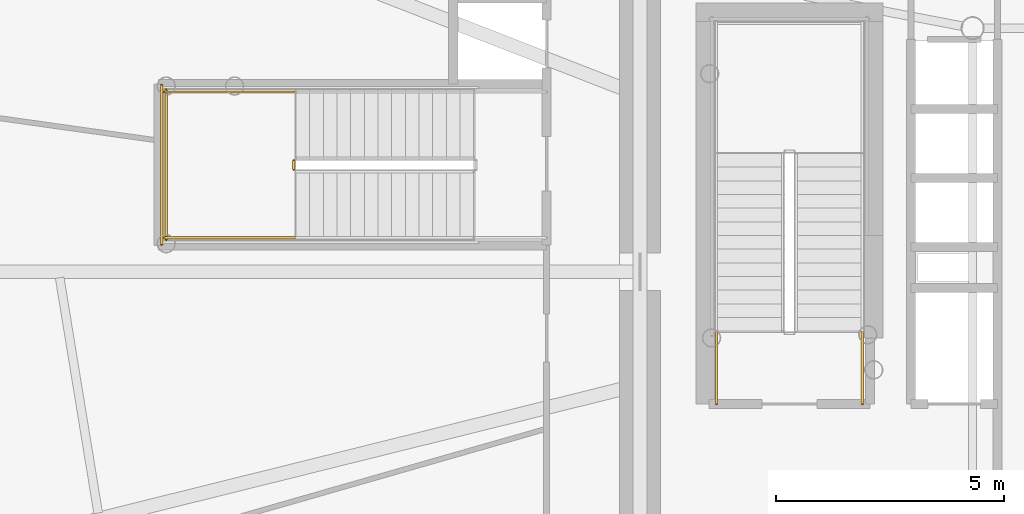
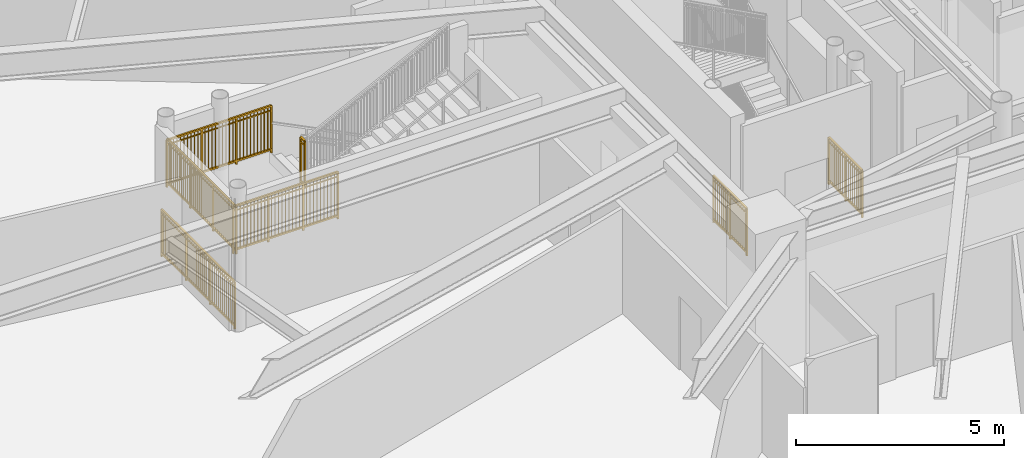
# One storey, part 18 of 27: 7 railings.
"""IFC4 building model written with IfcOpenShell, lengths in metres."""

from ifc_helpers import new_model, si_unit, direction, frame, origin, origin_2d, place, context, subcontext, project, spatial, rectangle, extrude, source, transform, mapped, material, type_object, element, save


model = new_model("IFC4")

# Units and contexts
model_context = context("Model", 3, precision=1e-05, world=origin(), true_north=direction((0.0, 1.0)))
body_context = subcontext(model_context, "Body", "Model", "MODEL_VIEW")
ifc_project = project(units=[si_unit("LENGTHUNIT", "METRE"), si_unit("AREAUNIT", "SQUARE_METRE"), si_unit("VOLUMEUNIT", "CUBIC_METRE"), si_unit("PLANEANGLEUNIT", "RADIAN"), si_unit("MASSUNIT", "GRAM", prefix="KILO")], contexts=[model_context])

# Site, building, storey
site_placement = place(None, origin())
site = spatial("IfcSite", under=ifc_project, at=site_placement, CompositionType="ELEMENT")
building_placement = place(site_placement, origin())
building = spatial("IfcBuilding", under=site, at=building_placement, Name="Linh Dai School and Residence Tower", CompositionType="ELEMENT")
storey_placement = place(building_placement, frame((0.0, 0.0, 14.39990234375)))
storey = spatial("IfcBuildingStorey", under=building, at=storey_placement, Name="L03", CompositionType="ELEMENT", Elevation=14.39990234375)

# Railings
ifc_material = material(Name="Structural Steel S355JR", Category="steel")
railing_type = type_object("IfcRailingType", Name="RL-ST-GUARD-1400", PredefinedType="GUARDRAIL", material=ifc_material)
shared_shape_1 = source(origin(), body_context, "Body", "SweptSolid", [
    extrude(rectangle(XDim=0.048095703125, YDim=0.048095703125, at=origin_2d()), frame((0.0, 0.0, 1.3759765625), z_axis=(0.0, 1.0, 0.0), x_axis=(-1.0, 0.0, 0.0)), (0.0, 0.0, 1.0), 1.599853515625),
    extrude(rectangle(XDim=0.048095703125, YDim=0.048095703125, at=origin_2d()), frame((0.0, 0.0, 0.10009765625), z_axis=(0.0, 1.0, 0.0), x_axis=(-1.0, 0.0, 0.0)), (0.0, 0.0, 1.0), 1.599853515625),
    extrude(rectangle(XDim=0.030029296875, YDim=0.030029296875, at=origin_2d()), frame((0.0, 0.0, 1.239990234375), z_axis=(0.0, 1.0, 0.0), x_axis=(-1.0, 0.0, 0.0)), (0.0, 0.0, 1.0), 1.599853515625),
    extrude(rectangle(XDim=0.02001953125, YDim=0.02001953125, at=origin_2d()), frame((0.0, 0.093994140625, 0.10009765625)), (0.0, 0.0, 1.0), 1.251708984375),
    extrude(rectangle(XDim=0.02001953125, YDim=0.02001953125, at=origin_2d()), frame((0.0, 0.188232421875, 0.10009765625)), (0.0, 0.0, 1.0), 1.251708984375),
    extrude(rectangle(XDim=0.02001953125, YDim=0.02001953125, at=origin_2d()), frame((0.0, 0.2822265625, 0.10009765625)), (0.0, 0.0, 1.0), 1.251708984375),
    extrude(rectangle(XDim=0.02001953125, YDim=0.02001953125, at=origin_2d()), frame((0.0, 0.37646484375, 0.10009765625)), (0.0, 0.0, 1.0), 1.251708984375),
    extrude(rectangle(XDim=0.02001953125, YDim=0.02001953125, at=origin_2d()), frame((0.0, 0.470458984375, 0.10009765625)), (0.0, 0.0, 1.0), 1.251708984375),
    extrude(rectangle(XDim=0.02001953125, YDim=0.02001953125, at=origin_2d()), frame((0.0, 0.564697265625, 0.10009765625)), (0.0, 0.0, 1.0), 1.251708984375),
    extrude(rectangle(XDim=0.02001953125, YDim=0.02001953125, at=origin_2d()), frame((0.0, 0.65869140625, 0.10009765625)), (0.0, 0.0, 1.0), 1.251708984375),
    extrude(rectangle(XDim=0.02001953125, YDim=0.02001953125, at=origin_2d()), frame((0.0, 0.7529296875, 0.10009765625)), (0.0, 0.0, 1.0), 1.251708984375),
    extrude(rectangle(XDim=0.02001953125, YDim=0.02001953125, at=origin_2d()), frame((0.0, 0.846923828125, 0.10009765625)), (0.0, 0.0, 1.0), 1.251708984375),
    extrude(rectangle(XDim=0.02001953125, YDim=0.02001953125, at=origin_2d()), frame((0.0, 0.941162109375, 0.10009765625)), (0.0, 0.0, 1.0), 1.251708984375),
    extrude(rectangle(XDim=0.02001953125, YDim=0.02001953125, at=origin_2d()), frame((0.0, 1.03515625, 0.10009765625)), (0.0, 0.0, 1.0), 1.251708984375),
    extrude(rectangle(XDim=0.02001953125, YDim=0.02001953125, at=origin_2d()), frame((0.0, 1.12939453125, 0.10009765625)), (0.0, 0.0, 1.0), 1.251708984375),
    extrude(rectangle(XDim=0.02001953125, YDim=0.02001953125, at=origin_2d()), frame((0.0, 1.223388671875, 0.10009765625)), (0.0, 0.0, 1.0), 1.251708984375),
    extrude(rectangle(XDim=0.02001953125, YDim=0.02001953125, at=origin_2d()), frame((0.0, 1.317626953125, 0.10009765625)), (0.0, 0.0, 1.0), 1.251708984375),
    extrude(rectangle(XDim=0.02001953125, YDim=0.02001953125, at=origin_2d()), frame((0.0, 1.41162109375, 0.10009765625)), (0.0, 0.0, 1.0), 1.251708984375),
    extrude(rectangle(XDim=0.02001953125, YDim=0.02001953125, at=origin_2d()), frame((0.0, 1.505859375, 0.10009765625)), (0.0, 0.0, 1.0), 1.251708984375),
    extrude(rectangle(XDim=0.0419921875, YDim=0.0419921875, at=origin_2d()), origin(), (0.0, 0.0, 1.0), 1.3759765625),
    extrude(rectangle(XDim=0.0419921875, YDim=0.0419921875, at=origin_2d()), frame((0.0, 0.7998046875, 0.0)), (0.0, 0.0, 1.0), 1.3759765625),
    extrude(rectangle(XDim=0.0419921875, YDim=0.0419921875, at=origin_2d()), frame((0.0, 1.599853515625, 0.0)), (0.0, 0.0, 1.0), 1.3759765625),
])
for number, where, name in (
    (1, (30.929931640625, 24.10009765625, 0.0), "L03 ST1 stair guard 8"),
    (2, (27.72998046875, 24.10009765625, 0.0), "L03 ST1 stair guard 9"),
):
    element("IfcRailing", number, at=place(storey_placement, frame(where)), inside=storey, type_object=railing_type, Name=name, PredefinedType="GUARDRAIL", context=body_context, shape_type="MappedRepresentation", body=[
        mapped(shared_shape_1, transform((0.0, 0.0, 0.0), x_axis=(1.0, 0.0, 0.0), y_axis=(0.0, 1.0, 0.0), z_axis=(0.0, 0.0, 1.0), scale=1.0)),
    ])
shared_shape_2 = source(origin(), body_context, "Body", "SweptSolid", [
    extrude(rectangle(XDim=0.048095703125, YDim=0.048095703125, at=origin_2d()), frame((0.0, 0.0, 1.3759765625), z_axis=(0.0, -1.0, 0.0), x_axis=(1.0, 0.0, 0.0)), (0.0, 0.0, 1.0), 0.199951171875),
    extrude(rectangle(XDim=0.048095703125, YDim=0.048095703125, at=origin_2d()), frame((0.0, 0.0, 0.10009765625), z_axis=(0.0, -1.0, 0.0), x_axis=(1.0, 0.0, 0.0)), (0.0, 0.0, 1.0), 0.199951171875),
    extrude(rectangle(XDim=0.030029296875, YDim=0.030029296875, at=origin_2d()), frame((0.0, 0.0, 1.239990234375), z_axis=(0.0, -1.0, 0.0), x_axis=(1.0, 0.0, 0.0)), (0.0, 0.0, 1.0), 0.199951171875),
    extrude(rectangle(XDim=0.0419921875, YDim=0.0419921875, at=origin_2d()), origin(), (0.0, 0.0, 1.0), 1.3759765625),
    extrude(rectangle(XDim=0.0419921875, YDim=0.0419921875, at=origin_2d()), frame((0.0, -0.199951171875, 0.0)), (0.0, 0.0, 1.0), 1.3759765625),
])
railing_1_placement = place(storey_placement, frame((18.449951171875, 29.449951171875, 2.10009765625)))
element("IfcRailing", 3, at=railing_1_placement, inside=storey, type_object=railing_type, Name="L03 STS1 stair guard 2", PredefinedType="GUARDRAIL", context=body_context, shape_type="MappedRepresentation", body=[
    mapped(shared_shape_2, transform((0.0, 0.0, 0.0), x_axis=(1.0, 0.0, 0.0), y_axis=(0.0, 1.0, 0.0), z_axis=(0.0, 0.0, 1.0), scale=1.0)),
])
shared_shape_3 = source(origin(), body_context, "Body", "SweptSolid", [
    extrude(rectangle(XDim=0.048095703125, YDim=0.048095703125, at=origin_2d()), frame((0.0, 0.0, 1.3759765625), z_axis=(0.0, -1.0, 0.0), x_axis=(1.0, 0.0, 0.0)), (0.0, 0.0, 1.0), 3.300048828125),
    extrude(rectangle(XDim=0.048095703125, YDim=0.048095703125, at=origin_2d()), frame((0.0, 0.0, 0.10009765625), z_axis=(0.0, -1.0, 0.0), x_axis=(1.0, 0.0, 0.0)), (0.0, 0.0, 1.0), 3.300048828125),
    extrude(rectangle(XDim=0.030029296875, YDim=0.030029296875, at=origin_2d()), frame((0.0, 0.0, 1.239990234375), z_axis=(0.0, -1.0, 0.0), x_axis=(1.0, 0.0, 0.0)), (0.0, 0.0, 1.0), 3.300048828125),
    extrude(rectangle(XDim=0.02001953125, YDim=0.02001953125, at=origin_2d()), frame((0.0, -0.09716796875, 0.10009765625)), (0.0, 0.0, 1.0), 1.251708984375),
    extrude(rectangle(XDim=0.02001953125, YDim=0.02001953125, at=origin_2d()), frame((0.0, -0.194091796875, 0.10009765625)), (0.0, 0.0, 1.0), 1.251708984375),
    extrude(rectangle(XDim=0.02001953125, YDim=0.02001953125, at=origin_2d()), frame((0.0, -0.291259765625, 0.10009765625)), (0.0, 0.0, 1.0), 1.251708984375),
    extrude(rectangle(XDim=0.02001953125, YDim=0.02001953125, at=origin_2d()), frame((0.0, -0.38818359375, 0.10009765625)), (0.0, 0.0, 1.0), 1.251708984375),
    extrude(rectangle(XDim=0.02001953125, YDim=0.02001953125, at=origin_2d()), frame((0.0, -0.4853515625, 0.10009765625)), (0.0, 0.0, 1.0), 1.251708984375),
    extrude(rectangle(XDim=0.02001953125, YDim=0.02001953125, at=origin_2d()), frame((0.0, -0.582275390625, 0.10009765625)), (0.0, 0.0, 1.0), 1.251708984375),
    extrude(rectangle(XDim=0.02001953125, YDim=0.02001953125, at=origin_2d()), frame((0.0, -0.679443359375, 0.10009765625)), (0.0, 0.0, 1.0), 1.251708984375),
    extrude(rectangle(XDim=0.02001953125, YDim=0.02001953125, at=origin_2d()), frame((0.0, -0.7763671875, 0.10009765625)), (0.0, 0.0, 1.0), 1.251708984375),
    extrude(rectangle(XDim=0.02001953125, YDim=0.02001953125, at=origin_2d()), frame((0.0, -0.87353515625, 0.10009765625)), (0.0, 0.0, 1.0), 1.251708984375),
    extrude(rectangle(XDim=0.02001953125, YDim=0.02001953125, at=origin_2d()), frame((0.0, -0.970703125, 0.10009765625)), (0.0, 0.0, 1.0), 1.251708984375),
    extrude(rectangle(XDim=0.02001953125, YDim=0.02001953125, at=origin_2d()), frame((0.0, -1.164794921875, 0.10009765625)), (0.0, 0.0, 1.0), 1.251708984375),
    extrude(rectangle(XDim=0.02001953125, YDim=0.02001953125, at=origin_2d()), frame((0.0, -1.26171875, 0.10009765625)), (0.0, 0.0, 1.0), 1.251708984375),
    extrude(rectangle(XDim=0.02001953125, YDim=0.02001953125, at=origin_2d()), frame((0.0, -1.35888671875, 0.10009765625)), (0.0, 0.0, 1.0), 1.251708984375),
    extrude(rectangle(XDim=0.02001953125, YDim=0.02001953125, at=origin_2d()), frame((0.0, -1.455810546875, 0.10009765625)), (0.0, 0.0, 1.0), 1.251708984375),
    extrude(rectangle(XDim=0.02001953125, YDim=0.02001953125, at=origin_2d()), frame((0.0, -1.552978515625, 0.10009765625)), (0.0, 0.0, 1.0), 1.251708984375),
    extrude(rectangle(XDim=0.02001953125, YDim=0.02001953125, at=origin_2d()), frame((0.0, -1.64990234375, 0.10009765625)), (0.0, 0.0, 1.0), 1.251708984375),
    extrude(rectangle(XDim=0.02001953125, YDim=0.02001953125, at=origin_2d()), frame((0.0, -1.7470703125, 0.10009765625)), (0.0, 0.0, 1.0), 1.251708984375),
    extrude(rectangle(XDim=0.02001953125, YDim=0.02001953125, at=origin_2d()), frame((0.0, -1.84423828125, 0.10009765625)), (0.0, 0.0, 1.0), 1.251708984375),
    extrude(rectangle(XDim=0.02001953125, YDim=0.02001953125, at=origin_2d()), frame((0.0, -1.941162109375, 0.10009765625)), (0.0, 0.0, 1.0), 1.251708984375),
    extrude(rectangle(XDim=0.02001953125, YDim=0.02001953125, at=origin_2d()), frame((0.0, -2.038330078125, 0.10009765625)), (0.0, 0.0, 1.0), 1.251708984375),
    extrude(rectangle(XDim=0.02001953125, YDim=0.02001953125, at=origin_2d()), frame((0.0, -2.13525390625, 0.10009765625)), (0.0, 0.0, 1.0), 1.251708984375),
    extrude(rectangle(XDim=0.02001953125, YDim=0.02001953125, at=origin_2d()), frame((0.0, -2.329345703125, 0.10009765625)), (0.0, 0.0, 1.0), 1.251708984375),
    extrude(rectangle(XDim=0.02001953125, YDim=0.02001953125, at=origin_2d()), frame((0.0, -2.426513671875, 0.10009765625)), (0.0, 0.0, 1.0), 1.251708984375),
    extrude(rectangle(XDim=0.02001953125, YDim=0.02001953125, at=origin_2d()), frame((0.0, -2.523681640625, 0.10009765625)), (0.0, 0.0, 1.0), 1.251708984375),
    extrude(rectangle(XDim=0.02001953125, YDim=0.02001953125, at=origin_2d()), frame((0.0, -2.62060546875, 0.10009765625)), (0.0, 0.0, 1.0), 1.251708984375),
    extrude(rectangle(XDim=0.02001953125, YDim=0.02001953125, at=origin_2d()), frame((0.0, -2.7177734375, 0.10009765625)), (0.0, 0.0, 1.0), 1.251708984375),
    extrude(rectangle(XDim=0.02001953125, YDim=0.02001953125, at=origin_2d()), frame((0.0, -2.814697265625, 0.10009765625)), (0.0, 0.0, 1.0), 1.251708984375),
    extrude(rectangle(XDim=0.02001953125, YDim=0.02001953125, at=origin_2d()), frame((0.0, -2.911865234375, 0.10009765625)), (0.0, 0.0, 1.0), 1.251708984375),
    extrude(rectangle(XDim=0.02001953125, YDim=0.02001953125, at=origin_2d()), frame((0.0, -3.0087890625, 0.10009765625)), (0.0, 0.0, 1.0), 1.251708984375),
    extrude(rectangle(XDim=0.02001953125, YDim=0.02001953125, at=origin_2d()), frame((0.0, -3.10595703125, 0.10009765625)), (0.0, 0.0, 1.0), 1.251708984375),
    extrude(rectangle(XDim=0.02001953125, YDim=0.02001953125, at=origin_2d()), frame((0.0, -3.202880859375, 0.10009765625)), (0.0, 0.0, 1.0), 1.251708984375),
    extrude(rectangle(XDim=0.0419921875, YDim=0.0419921875, at=origin_2d()), origin(), (0.0, 0.0, 1.0), 1.3759765625),
    extrude(rectangle(XDim=0.0419921875, YDim=0.0419921875, at=origin_2d()), frame((0.0, -1.10009765625, 0.0)), (0.0, 0.0, 1.0), 1.3759765625),
    extrude(rectangle(XDim=0.0419921875, YDim=0.0419921875, at=origin_2d()), frame((0.0, -2.199951171875, 0.0)), (0.0, 0.0, 1.0), 1.3759765625),
    extrude(rectangle(XDim=0.0419921875, YDim=0.0419921875, at=origin_2d()), frame((0.0, -3.300048828125, 0.0)), (0.0, 0.0, 1.0), 1.3759765625),
])
railing_2_placement = place(storey_placement, frame((15.64990234375, 31.0, 2.10009765625)))
element("IfcRailing", 4, at=railing_2_placement, inside=storey, type_object=railing_type, Name="L03 STS1 stair guard 5", PredefinedType="GUARDRAIL", context=body_context, shape_type="MappedRepresentation", body=[
    mapped(shared_shape_3, transform((0.0, 0.0, 0.0), x_axis=(1.0, 0.0, 0.0), y_axis=(0.0, 1.0, 0.0), z_axis=(0.0, 0.0, 1.0), scale=1.0)),
])
shared_shape_4 = source(origin(), body_context, "Body", "SweptSolid", [
    extrude(rectangle(XDim=0.048095703125, YDim=0.048095703125, at=origin_2d()), frame((0.0, 0.0, 1.3759765625), z_axis=(-1.0, 0.0, 0.0), x_axis=(0.0, -1.0, 0.0)), (0.0, 0.0, 1.0), 2.89990234375),
    extrude(rectangle(XDim=0.048095703125, YDim=0.048095703125, at=origin_2d()), frame((0.0, 0.0, 0.10009765625), z_axis=(-1.0, 0.0, 0.0), x_axis=(0.0, -1.0, 0.0)), (0.0, 0.0, 1.0), 2.89990234375),
    extrude(rectangle(XDim=0.030029296875, YDim=0.030029296875, at=origin_2d()), frame((0.0, 0.0, 1.239990234375), z_axis=(-1.0, 0.0, 0.0), x_axis=(0.0, -1.0, 0.0)), (0.0, 0.0, 1.0), 2.89990234375),
    extrude(rectangle(XDim=0.02001953125, YDim=0.02001953125, at=origin_2d()), frame((-0.0966796875, 0.0, 0.10009765625)), (0.0, 0.0, 1.0), 1.251708984375),
    extrude(rectangle(XDim=0.02001953125, YDim=0.02001953125, at=origin_2d()), frame((-0.193359375, 0.0, 0.10009765625)), (0.0, 0.0, 1.0), 1.251708984375),
    extrude(rectangle(XDim=0.02001953125, YDim=0.02001953125, at=origin_2d()), frame((-0.2900390625, 0.0, 0.10009765625)), (0.0, 0.0, 1.0), 1.251708984375),
    extrude(rectangle(XDim=0.02001953125, YDim=0.02001953125, at=origin_2d()), frame((-0.38671875, 0.0, 0.10009765625)), (0.0, 0.0, 1.0), 1.251708984375),
    extrude(rectangle(XDim=0.02001953125, YDim=0.02001953125, at=origin_2d()), frame((-0.4833984375, 0.0, 0.10009765625)), (0.0, 0.0, 1.0), 1.251708984375),
    extrude(rectangle(XDim=0.02001953125, YDim=0.02001953125, at=origin_2d()), frame((-0.580078125, 0.0, 0.10009765625)), (0.0, 0.0, 1.0), 1.251708984375),
    extrude(rectangle(XDim=0.02001953125, YDim=0.02001953125, at=origin_2d()), frame((-0.6767578125, 0.0, 0.10009765625)), (0.0, 0.0, 1.0), 1.251708984375),
    extrude(rectangle(XDim=0.02001953125, YDim=0.02001953125, at=origin_2d()), frame((-0.773193359375, 0.0, 0.10009765625)), (0.0, 0.0, 1.0), 1.251708984375),
    extrude(rectangle(XDim=0.02001953125, YDim=0.02001953125, at=origin_2d()), frame((-0.869873046875, 0.0, 0.10009765625)), (0.0, 0.0, 1.0), 1.251708984375),
    extrude(rectangle(XDim=0.02001953125, YDim=0.02001953125, at=origin_2d()), frame((-1.063232421875, 0.0, 0.10009765625)), (0.0, 0.0, 1.0), 1.251708984375),
    extrude(rectangle(XDim=0.02001953125, YDim=0.02001953125, at=origin_2d()), frame((-1.159912109375, 0.0, 0.10009765625)), (0.0, 0.0, 1.0), 1.251708984375),
    extrude(rectangle(XDim=0.02001953125, YDim=0.02001953125, at=origin_2d()), frame((-1.256591796875, 0.0, 0.10009765625)), (0.0, 0.0, 1.0), 1.251708984375),
    extrude(rectangle(XDim=0.02001953125, YDim=0.02001953125, at=origin_2d()), frame((-1.353271484375, 0.0, 0.10009765625)), (0.0, 0.0, 1.0), 1.251708984375),
    extrude(rectangle(XDim=0.02001953125, YDim=0.02001953125, at=origin_2d()), frame((-1.449951171875, 0.0, 0.10009765625)), (0.0, 0.0, 1.0), 1.251708984375),
    extrude(rectangle(XDim=0.02001953125, YDim=0.02001953125, at=origin_2d()), frame((-1.546630859375, 0.0, 0.10009765625)), (0.0, 0.0, 1.0), 1.251708984375),
    extrude(rectangle(XDim=0.02001953125, YDim=0.02001953125, at=origin_2d()), frame((-1.643310546875, 0.0, 0.10009765625)), (0.0, 0.0, 1.0), 1.251708984375),
    extrude(rectangle(XDim=0.02001953125, YDim=0.02001953125, at=origin_2d()), frame((-1.739990234375, 0.0, 0.10009765625)), (0.0, 0.0, 1.0), 1.251708984375),
    extrude(rectangle(XDim=0.02001953125, YDim=0.02001953125, at=origin_2d()), frame((-1.836669921875, 0.0, 0.10009765625)), (0.0, 0.0, 1.0), 1.251708984375),
    extrude(rectangle(XDim=0.02001953125, YDim=0.02001953125, at=origin_2d()), frame((-2.030029296875, 0.0, 0.10009765625)), (0.0, 0.0, 1.0), 1.251708984375),
    extrude(rectangle(XDim=0.02001953125, YDim=0.02001953125, at=origin_2d()), frame((-2.126708984375, 0.0, 0.10009765625)), (0.0, 0.0, 1.0), 1.251708984375),
    extrude(rectangle(XDim=0.02001953125, YDim=0.02001953125, at=origin_2d()), frame((-2.22314453125, 0.0, 0.10009765625)), (0.0, 0.0, 1.0), 1.251708984375),
    extrude(rectangle(XDim=0.02001953125, YDim=0.02001953125, at=origin_2d()), frame((-2.31982421875, 0.0, 0.10009765625)), (0.0, 0.0, 1.0), 1.251708984375),
    extrude(rectangle(XDim=0.02001953125, YDim=0.02001953125, at=origin_2d()), frame((-2.41650390625, 0.0, 0.10009765625)), (0.0, 0.0, 1.0), 1.251708984375),
    extrude(rectangle(XDim=0.02001953125, YDim=0.02001953125, at=origin_2d()), frame((-2.51318359375, 0.0, 0.10009765625)), (0.0, 0.0, 1.0), 1.251708984375),
    extrude(rectangle(XDim=0.02001953125, YDim=0.02001953125, at=origin_2d()), frame((-2.60986328125, 0.0, 0.10009765625)), (0.0, 0.0, 1.0), 1.251708984375),
    extrude(rectangle(XDim=0.02001953125, YDim=0.02001953125, at=origin_2d()), frame((-2.70654296875, 0.0, 0.10009765625)), (0.0, 0.0, 1.0), 1.251708984375),
    extrude(rectangle(XDim=0.02001953125, YDim=0.02001953125, at=origin_2d()), frame((-2.80322265625, 0.0, 0.10009765625)), (0.0, 0.0, 1.0), 1.251708984375),
    extrude(rectangle(XDim=0.0419921875, YDim=0.0419921875, at=origin_2d()), origin(), (0.0, 0.0, 1.0), 1.3759765625),
    extrude(rectangle(XDim=0.0419921875, YDim=0.0419921875, at=origin_2d()), frame((-0.966552734375, 0.0, 0.0)), (0.0, 0.0, 1.0), 1.3759765625),
    extrude(rectangle(XDim=0.0419921875, YDim=0.0419921875, at=origin_2d()), frame((-1.933349609375, 0.0, 0.0)), (0.0, 0.0, 1.0), 1.3759765625),
    extrude(rectangle(XDim=0.0419921875, YDim=0.0419921875, at=origin_2d()), frame((-2.89990234375, 0.0, 0.0)), (0.0, 0.0, 1.0), 1.3759765625),
])
for number, where, name in (
    (5, (18.5, 30.949951171875, 2.10009765625), "L03 STS1 stair guard 3"),
    (6, (18.5, 27.75, 2.10009765625), "L03 STS1 stair guard 4"),
):
    element("IfcRailing", number, at=place(storey_placement, frame(where)), inside=storey, type_object=railing_type, Name=name, PredefinedType="GUARDRAIL", context=body_context, shape_type="MappedRepresentation", body=[
        mapped(shared_shape_4, transform((0.0, 0.0, 0.0), x_axis=(1.0, 0.0, 0.0), y_axis=(0.0, 1.0, 0.0), z_axis=(0.0, 0.0, 1.0), scale=1.0)),
    ])
shared_shape_5 = source(origin(), body_context, "Body", "SweptSolid", [
    extrude(rectangle(XDim=0.048095703125, YDim=0.048095703125, at=origin_2d()), frame((0.0, 0.0, 1.3759765625), z_axis=(0.0, -1.0, 0.0), x_axis=(1.0, 0.0, 0.0)), (0.0, 0.0, 1.0), 3.5),
    extrude(rectangle(XDim=0.048095703125, YDim=0.048095703125, at=origin_2d()), frame((0.0, 0.0, 0.10009765625), z_axis=(0.0, -1.0, 0.0), x_axis=(1.0, 0.0, 0.0)), (0.0, 0.0, 1.0), 3.5),
    extrude(rectangle(XDim=0.030029296875, YDim=0.030029296875, at=origin_2d()), frame((0.0, 0.0, 1.239990234375), z_axis=(0.0, -1.0, 0.0), x_axis=(1.0, 0.0, 0.0)), (0.0, 0.0, 1.0), 3.5),
    extrude(rectangle(XDim=0.02001953125, YDim=0.02001953125, at=origin_2d()), frame((0.0, -0.09716796875, 0.10009765625)), (0.0, 0.0, 1.0), 1.251708984375),
    extrude(rectangle(XDim=0.02001953125, YDim=0.02001953125, at=origin_2d()), frame((0.0, -0.1943359375, 0.10009765625)), (0.0, 0.0, 1.0), 1.251708984375),
    extrude(rectangle(XDim=0.02001953125, YDim=0.02001953125, at=origin_2d()), frame((0.0, -0.291748046875, 0.10009765625)), (0.0, 0.0, 1.0), 1.251708984375),
    extrude(rectangle(XDim=0.02001953125, YDim=0.02001953125, at=origin_2d()), frame((0.0, -0.388916015625, 0.10009765625)), (0.0, 0.0, 1.0), 1.251708984375),
    extrude(rectangle(XDim=0.02001953125, YDim=0.02001953125, at=origin_2d()), frame((0.0, -0.486083984375, 0.10009765625)), (0.0, 0.0, 1.0), 1.251708984375),
    extrude(rectangle(XDim=0.02001953125, YDim=0.02001953125, at=origin_2d()), frame((0.0, -0.583251953125, 0.10009765625)), (0.0, 0.0, 1.0), 1.251708984375),
    extrude(rectangle(XDim=0.02001953125, YDim=0.02001953125, at=origin_2d()), frame((0.0, -0.6806640625, 0.10009765625)), (0.0, 0.0, 1.0), 1.251708984375),
    extrude(rectangle(XDim=0.02001953125, YDim=0.02001953125, at=origin_2d()), frame((0.0, -0.77783203125, 0.10009765625)), (0.0, 0.0, 1.0), 1.251708984375),
    extrude(rectangle(XDim=0.02001953125, YDim=0.02001953125, at=origin_2d()), frame((0.0, -0.875, 0.10009765625)), (0.0, 0.0, 1.0), 1.251708984375),
    extrude(rectangle(XDim=0.02001953125, YDim=0.02001953125, at=origin_2d()), frame((0.0, -0.97216796875, 0.10009765625)), (0.0, 0.0, 1.0), 1.251708984375),
    extrude(rectangle(XDim=0.02001953125, YDim=0.02001953125, at=origin_2d()), frame((0.0, -1.0693359375, 0.10009765625)), (0.0, 0.0, 1.0), 1.251708984375),
    extrude(rectangle(XDim=0.02001953125, YDim=0.02001953125, at=origin_2d()), frame((0.0, -1.263916015625, 0.10009765625)), (0.0, 0.0, 1.0), 1.251708984375),
    extrude(rectangle(XDim=0.02001953125, YDim=0.02001953125, at=origin_2d()), frame((0.0, -1.361083984375, 0.10009765625)), (0.0, 0.0, 1.0), 1.251708984375),
    extrude(rectangle(XDim=0.02001953125, YDim=0.02001953125, at=origin_2d()), frame((0.0, -1.458251953125, 0.10009765625)), (0.0, 0.0, 1.0), 1.251708984375),
    extrude(rectangle(XDim=0.02001953125, YDim=0.02001953125, at=origin_2d()), frame((0.0, -1.5556640625, 0.10009765625)), (0.0, 0.0, 1.0), 1.251708984375),
    extrude(rectangle(XDim=0.02001953125, YDim=0.02001953125, at=origin_2d()), frame((0.0, -1.65283203125, 0.10009765625)), (0.0, 0.0, 1.0), 1.251708984375),
    extrude(rectangle(XDim=0.02001953125, YDim=0.02001953125, at=origin_2d()), frame((0.0, -1.75, 0.10009765625)), (0.0, 0.0, 1.0), 1.251708984375),
    extrude(rectangle(XDim=0.02001953125, YDim=0.02001953125, at=origin_2d()), frame((0.0, -1.84716796875, 0.10009765625)), (0.0, 0.0, 1.0), 1.251708984375),
    extrude(rectangle(XDim=0.02001953125, YDim=0.02001953125, at=origin_2d()), frame((0.0, -1.9443359375, 0.10009765625)), (0.0, 0.0, 1.0), 1.251708984375),
    extrude(rectangle(XDim=0.02001953125, YDim=0.02001953125, at=origin_2d()), frame((0.0, -2.041748046875, 0.10009765625)), (0.0, 0.0, 1.0), 1.251708984375),
    extrude(rectangle(XDim=0.02001953125, YDim=0.02001953125, at=origin_2d()), frame((0.0, -2.138916015625, 0.10009765625)), (0.0, 0.0, 1.0), 1.251708984375),
    extrude(rectangle(XDim=0.02001953125, YDim=0.02001953125, at=origin_2d()), frame((0.0, -2.236083984375, 0.10009765625)), (0.0, 0.0, 1.0), 1.251708984375),
    extrude(rectangle(XDim=0.02001953125, YDim=0.02001953125, at=origin_2d()), frame((0.0, -2.4306640625, 0.10009765625)), (0.0, 0.0, 1.0), 1.251708984375),
    extrude(rectangle(XDim=0.02001953125, YDim=0.02001953125, at=origin_2d()), frame((0.0, -2.52783203125, 0.10009765625)), (0.0, 0.0, 1.0), 1.251708984375),
    extrude(rectangle(XDim=0.02001953125, YDim=0.02001953125, at=origin_2d()), frame((0.0, -2.625, 0.10009765625)), (0.0, 0.0, 1.0), 1.251708984375),
    extrude(rectangle(XDim=0.02001953125, YDim=0.02001953125, at=origin_2d()), frame((0.0, -2.72216796875, 0.10009765625)), (0.0, 0.0, 1.0), 1.251708984375),
    extrude(rectangle(XDim=0.02001953125, YDim=0.02001953125, at=origin_2d()), frame((0.0, -2.8193359375, 0.10009765625)), (0.0, 0.0, 1.0), 1.251708984375),
    extrude(rectangle(XDim=0.02001953125, YDim=0.02001953125, at=origin_2d()), frame((0.0, -2.916748046875, 0.10009765625)), (0.0, 0.0, 1.0), 1.251708984375),
    extrude(rectangle(XDim=0.02001953125, YDim=0.02001953125, at=origin_2d()), frame((0.0, -3.013916015625, 0.10009765625)), (0.0, 0.0, 1.0), 1.251708984375),
    extrude(rectangle(XDim=0.02001953125, YDim=0.02001953125, at=origin_2d()), frame((0.0, -3.111083984375, 0.10009765625)), (0.0, 0.0, 1.0), 1.251708984375),
    extrude(rectangle(XDim=0.02001953125, YDim=0.02001953125, at=origin_2d()), frame((0.0, -3.208251953125, 0.10009765625)), (0.0, 0.0, 1.0), 1.251708984375),
    extrude(rectangle(XDim=0.02001953125, YDim=0.02001953125, at=origin_2d()), frame((0.0, -3.3056640625, 0.10009765625)), (0.0, 0.0, 1.0), 1.251708984375),
    extrude(rectangle(XDim=0.02001953125, YDim=0.02001953125, at=origin_2d()), frame((0.0, -3.40283203125, 0.10009765625)), (0.0, 0.0, 1.0), 1.251708984375),
    extrude(rectangle(XDim=0.0419921875, YDim=0.0419921875, at=origin_2d()), origin(), (0.0, 0.0, 1.0), 1.3759765625),
    extrude(rectangle(XDim=0.0419921875, YDim=0.0419921875, at=origin_2d()), frame((0.0, -1.166748046875, 0.0)), (0.0, 0.0, 1.0), 1.3759765625),
    extrude(rectangle(XDim=0.0419921875, YDim=0.0419921875, at=origin_2d()), frame((0.0, -2.333251953125, 0.0)), (0.0, 0.0, 1.0), 1.3759765625),
    extrude(rectangle(XDim=0.0419921875, YDim=0.0419921875, at=origin_2d()), frame((0.0, -3.5, 0.0)), (0.0, 0.0, 1.0), 1.3759765625),
])
railing_3_placement = place(storey_placement, frame((15.550048828125, 31.10009765625, 0.0)))
element("IfcRailing", 7, at=railing_3_placement, inside=storey, type_object=railing_type, Name="L03 STS1 stair guard 12", PredefinedType="GUARDRAIL", context=body_context, shape_type="MappedRepresentation", body=[
    mapped(shared_shape_5, transform((0.0, 0.0, 0.0), x_axis=(1.0, 0.0, 0.0), y_axis=(0.0, 1.0, 0.0), z_axis=(0.0, 0.0, 1.0), scale=1.0)),
])

save(model, "model.ifc")
